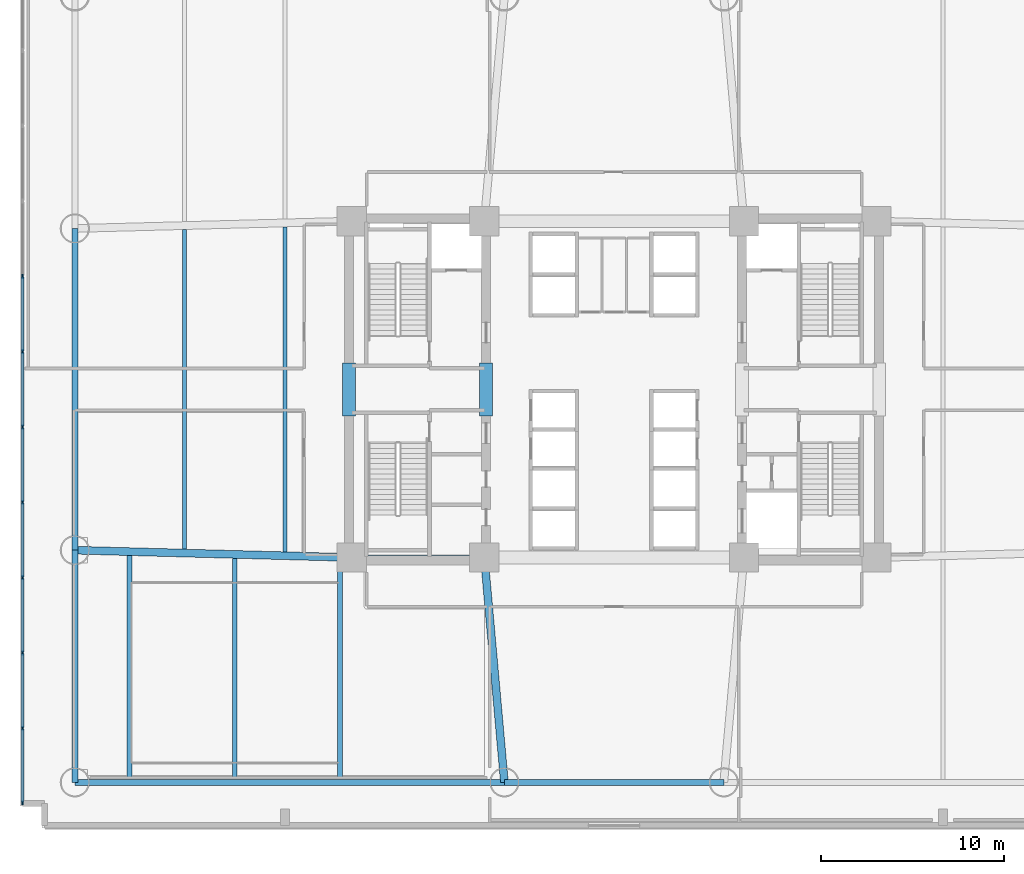
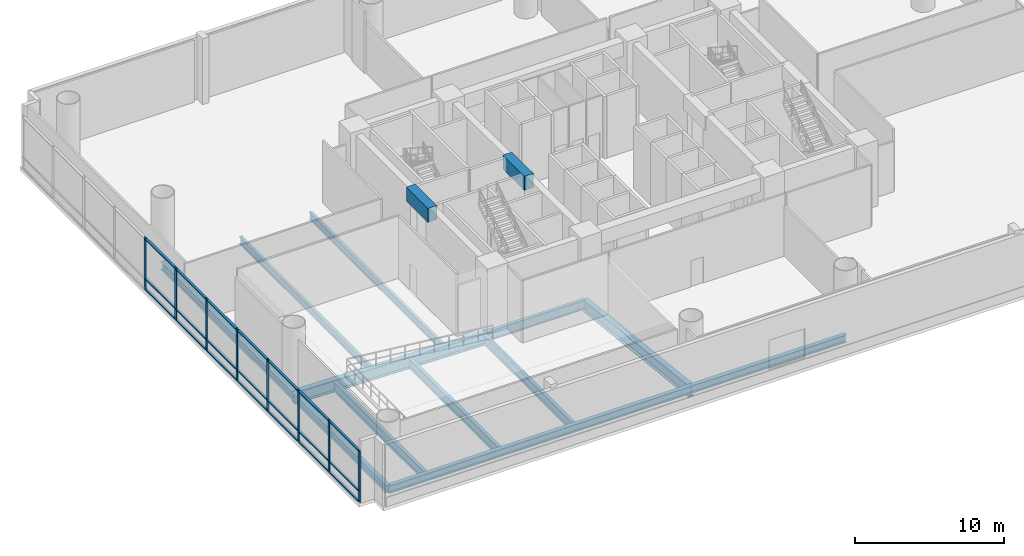
# One storey, part 2 of 15: 29 members, 14 beams, 1 element without a shape of its own.
"""IFC4 building model written with IfcOpenShell, lengths in metres."""

from ifc_helpers import new_model, si_unit, direction, frame, origin, origin_2d, place, context, subcontext, project, spatial, rectangle, i_section, extrude, source, transform, mapped, material, layer, layer_set, material_profile, profile_set, type_object, element, aggregate, save


model = new_model("IFC4")

# Units and contexts
model_context = context("Model", 3, precision=1e-05, world=origin(), true_north=direction((0.0, 1.0)))
body_context = subcontext(model_context, "Body", "Model", "MODEL_VIEW")
ifc_project = project(units=[si_unit("LENGTHUNIT", "METRE"), si_unit("AREAUNIT", "SQUARE_METRE"), si_unit("VOLUMEUNIT", "CUBIC_METRE"), si_unit("PLANEANGLEUNIT", "RADIAN"), si_unit("MASSUNIT", "GRAM", prefix="KILO")], contexts=[model_context])

# Site, building, storey
site_placement = place(None, origin())
site = spatial("IfcSite", under=ifc_project, at=site_placement, CompositionType="ELEMENT")
building_placement = place(site_placement, origin())
building = spatial("IfcBuilding", under=site, at=building_placement, Name="Zahravan Cultural Tower", CompositionType="ELEMENT")
storey_placement = place(building_placement, frame((0.0, 0.0, 12.60009765625)))
storey = spatial("IfcBuildingStorey", under=building, at=storey_placement, Name="L02", CompositionType="ELEMENT", Elevation=12.60009765625)

# Beams
ifc_material_1 = material(Name="Concrete C50/60", Category="concrete")
ifc_material_profile_1 = material_profile(ifc_material_1, rectangle(XDim=0.699951171875, YDim=1.14990234375, at=origin_2d()), Name="RC700X1150")
ifc_profile_set_1 = profile_set([ifc_material_profile_1], Name="Concrete C50/60")
beam_type_1 = type_object("IfcBeamType", Name="BM-LN-RC700X1150", PredefinedType="LINTEL", material=ifc_profile_set_1)
shared_shape_1 = source(origin(), body_context, "Body", "SweptSolid", [
    extrude(rectangle(XDim=0.699951171875, YDim=1.14990234375, at=origin_2d()), origin(), (0.0, 0.0, 1.0), 2.89990234375),
])
for number, where, z_axis, x_axis, name in (
    (1, (21.5, 25.550048828125, 4.52490234375), (0.0, 1.0, 0.0), (-1.0, 0.0, 0.0), "L02 Beam LN-L02-PWW"),
    (2, (29.0, 25.550048828125, 4.52490234375), (0.0, 1.0, 0.0), (-1.0, 0.0, 0.0), "L02 Beam LN-L02-PWE"),
):
    element("IfcBeam", number, at=place(storey_placement, frame(where, z_axis=z_axis, x_axis=x_axis)), inside=storey, type_object=beam_type_1, Name=name, PredefinedType="LINTEL", context=body_context, shape_type="MappedRepresentation", body=[
        mapped(shared_shape_1, transform((0.0, 0.0, 0.0), x_axis=(1.0, 0.0, 0.0), y_axis=(0.0, 1.0, 0.0), z_axis=(0.0, 0.0, 1.0), scale=1.0)),
    ])
ifc_material_2 = material(Name="Steel ASTM A992 Grade 50", Category="steel")
ifc_material_profile_2 = material_profile(ifc_material_2, i_section(OverallWidth=0.26611328125, OverallDepth=0.780029296875, WebThickness=0.0166015625, FlangeThickness=0.030029296875, FilletRadius=0.01904296875, at=origin_2d()), Name="W30X148")
ifc_profile_set_2 = profile_set([ifc_material_profile_2], Name="Steel ASTM A992 Grade 50")
beam_type_2 = type_object("IfcBeamType", Name="BM-G-W30X148", PredefinedType="BEAM", material=ifc_profile_set_2)
shared_shape_2 = source(origin(), body_context, "Body", "SweptSolid", [
    extrude(i_section(OverallWidth=0.26611328125, OverallDepth=0.780029296875, WebThickness=0.0166015625, FlangeThickness=0.030029296875, FilletRadius=0.01904296875, at=origin_2d()), origin(), (0.0, 0.0, 1.0), 7.25),
])
beam_1_placement = place(storey_placement, frame((21.64990234375, 17.800048828125, -0.690185546875), z_axis=(1.0, 0.0, 0.0), x_axis=(0.0, 1.0, 0.0)))
element("IfcBeam", 3, at=beam_1_placement, inside=storey, type_object=beam_type_2, Name="L02 Beam BG-L02-01", PredefinedType="BEAM", context=body_context, shape_type="MappedRepresentation", body=[
    mapped(shared_shape_2, transform((0.0, 0.0, 0.0), x_axis=(1.0, 0.0, 0.0), y_axis=(0.0, 1.0, 0.0), z_axis=(0.0, 0.0, 1.0), scale=1.0)),
])
ifc_material_profile_3 = material_profile(ifc_material_2, i_section(OverallWidth=0.326904296875, OverallDepth=0.6220703125, WebThickness=0.015380859375, FlangeThickness=0.0244140625, FilletRadius=0.014892578125, at=origin_2d()), Name="W24X131")
ifc_profile_set_3 = profile_set([ifc_material_profile_3], Name="Steel ASTM A992 Grade 50")
beam_type_3 = type_object("IfcBeamType", Name="BM-SP-W24X131", PredefinedType="SPANDREL", material=ifc_profile_set_3)
shared_shape_3 = source(origin(), body_context, "Body", "SweptSolid", [
    extrude(i_section(OverallWidth=0.326904296875, OverallDepth=0.6220703125, WebThickness=0.015380859375, FlangeThickness=0.0244140625, FilletRadius=0.014892578125, at=origin_2d()), origin(), (0.0, 0.0, 1.0), 23.5),
])
beam_2_placement = place(storey_placement, frame((6.5, 5.5, -0.611083984375), z_axis=(1.0, 0.0, 0.0), x_axis=(0.0, 1.0, 0.0)))
element("IfcBeam", 4, at=beam_2_placement, inside=storey, type_object=beam_type_3, Name="L02 Beam BG-L02-07", PredefinedType="SPANDREL", context=body_context, shape_type="MappedRepresentation", body=[
    mapped(shared_shape_3, transform((0.0, 0.0, 0.0), x_axis=(1.0, 0.0, 0.0), y_axis=(0.0, 1.0, 0.0), z_axis=(0.0, 0.0, 1.0), scale=1.0)),
])
shared_shape_4 = source(origin(), body_context, "Body", "SweptSolid", [
    extrude(i_section(OverallWidth=0.326904296875, OverallDepth=0.6220703125, WebThickness=0.015380859375, FlangeThickness=0.0244140625, FilletRadius=0.014892578125, at=origin_2d()), origin(), (0.0, 0.0, 1.0), 12.0),
])
beam_3_placement = place(storey_placement, frame((30.0, 5.5, -0.611083984375), z_axis=(1.0, 0.0, 0.0), x_axis=(0.0, 1.0, 0.0)))
element("IfcBeam", 5, at=beam_3_placement, inside=storey, type_object=beam_type_3, Name="L02 Beam BG-L02-08", PredefinedType="SPANDREL", context=body_context, shape_type="MappedRepresentation", body=[
    mapped(shared_shape_4, transform((0.0, 0.0, 0.0), x_axis=(1.0, 0.0, 0.0), y_axis=(0.0, 1.0, 0.0), z_axis=(0.0, 0.0, 1.0), scale=1.0)),
])
shared_shape_5 = source(origin(), body_context, "Body", "SweptSolid", [
    extrude(i_section(OverallWidth=0.326904296875, OverallDepth=0.6220703125, WebThickness=0.015380859375, FlangeThickness=0.0244140625, FilletRadius=0.014892578125, at=origin_2d()), origin(), (0.0, 0.0, 1.0), 12.699951171875),
])
beam_4_placement = place(storey_placement, frame((6.5, 5.5, -0.611083984375), z_axis=(0.0, 1.0, 0.0), x_axis=(-1.0, 0.0, 0.0)))
element("IfcBeam", 6, at=beam_4_placement, inside=storey, type_object=beam_type_3, Name="L02 Beam BG-L02-13", PredefinedType="SPANDREL", context=body_context, shape_type="MappedRepresentation", body=[
    mapped(shared_shape_5, transform((0.0, 0.0, 0.0), x_axis=(1.0, 0.0, 0.0), y_axis=(0.0, 1.0, 0.0), z_axis=(0.0, 0.0, 1.0), scale=1.0)),
])
shared_shape_6 = source(origin(), body_context, "Body", "SweptSolid", [
    extrude(i_section(OverallWidth=0.326904296875, OverallDepth=0.6220703125, WebThickness=0.015380859375, FlangeThickness=0.0244140625, FilletRadius=0.014892578125, at=origin_2d()), origin(), (0.0, 0.0, 1.0), 17.60009765625),
])
beam_5_placement = place(storey_placement, frame((6.5, 18.199951171875, -0.611083984375), z_axis=(0.0, 1.0, 0.0), x_axis=(-1.0, 0.0, 0.0)))
element("IfcBeam", 7, at=beam_5_placement, inside=storey, type_object=beam_type_3, Name="L02 Beam BG-L02-14", PredefinedType="SPANDREL", context=body_context, shape_type="MappedRepresentation", body=[
    mapped(shared_shape_6, transform((0.0, 0.0, 0.0), x_axis=(1.0, 0.0, 0.0), y_axis=(0.0, 1.0, 0.0), z_axis=(0.0, 0.0, 1.0), scale=1.0)),
])
ifc_material_profile_4 = material_profile(ifc_material_2, i_section(OverallWidth=0.425048828125, OverallDepth=0.965087890625, WebThickness=0.0283203125, FlangeThickness=0.051025390625, FilletRadius=0.02392578125, at=origin_2d()), Name="W36X361")
ifc_profile_set_4 = profile_set([ifc_material_profile_4], Name="Steel ASTM A992 Grade 50")
beam_type_4 = type_object("IfcBeamType", Name="BM-G-W36X361", PredefinedType="BEAM", material=ifc_profile_set_4)
shared_shape_7 = source(origin(), body_context, "Body", "SweptSolid", [
    extrude(i_section(OverallWidth=0.425048828125, OverallDepth=0.965087890625, WebThickness=0.0283203125, FlangeThickness=0.051025390625, FilletRadius=0.02392578125, at=origin_2d()), origin(), (0.0, 0.0, 1.0), 15.1552734375),
])
beam_6_placement = place(storey_placement, frame((6.5, 18.199951171875, -0.78271484375), z_axis=(0.999651797923, -0.026387173188, 0.0), x_axis=(0.026387173188, 0.999651797923, 0.0)))
element("IfcBeam", 8, at=beam_6_placement, inside=storey, type_object=beam_type_4, Name="L02 Beam BG-L02-19", PredefinedType="BEAM", context=body_context, shape_type="MappedRepresentation", body=[
    mapped(shared_shape_7, transform((0.0, 0.0, 0.0), x_axis=(1.0, 0.0, 0.0), y_axis=(0.0, 1.0, 0.0), z_axis=(0.0, 0.0, 1.0), scale=1.0)),
])
shared_shape_8 = source(origin(), body_context, "Body", "SweptSolid", [
    extrude(i_section(OverallWidth=0.425048828125, OverallDepth=0.965087890625, WebThickness=0.0283203125, FlangeThickness=0.051025390625, FilletRadius=0.02392578125, at=origin_2d()), origin(), (0.0, 0.0, 1.0), 12.34912109375),
])
beam_7_placement = place(storey_placement, frame((30.0, 5.5, -0.78271484375), z_axis=(-0.089082890706, 0.996024215862, 0.0), x_axis=(-0.996024215862, -0.089082890706, 0.0)))
element("IfcBeam", 9, at=beam_7_placement, inside=storey, type_object=beam_type_4, Name="L02 Beam BG-L02-23", PredefinedType="BEAM", context=body_context, shape_type="MappedRepresentation", body=[
    mapped(shared_shape_8, transform((0.0, 0.0, 0.0), x_axis=(1.0, 0.0, 0.0), y_axis=(0.0, 1.0, 0.0), z_axis=(0.0, 0.0, 1.0), scale=1.0)),
])
ifc_material_profile_5 = material_profile(ifc_material_2, i_section(OverallWidth=0.22998046875, OverallDepth=0.616943359375, WebThickness=0.01318359375, FlangeThickness=0.022216796875, FilletRadius=0.014892578125, at=origin_2d()), Name="W24X94")
ifc_profile_set_5 = profile_set([ifc_material_profile_5], Name="Steel ASTM A992 Grade 50")
beam_type_5 = type_object("IfcBeamType", Name="BM-J-W24X94", PredefinedType="JOIST", material=ifc_profile_set_5)
shared_shape_9 = source(origin(), body_context, "Body", "SweptSolid", [
    extrude(i_section(OverallWidth=0.22998046875, OverallDepth=0.616943359375, WebThickness=0.01318359375, FlangeThickness=0.022216796875, FilletRadius=0.014892578125, at=origin_2d()), origin(), (0.0, 0.0, 1.0), 17.49072265625),
])
beam_8_placement = place(storey_placement, frame((12.5, 18.254638671875, -0.608642578125), z_axis=(0.0, 1.0, 0.0), x_axis=(-1.0, 0.0, 0.0)))
element("IfcBeam", 10, at=beam_8_placement, inside=storey, type_object=beam_type_5, Name="L02 Beam BJ-L02-30", PredefinedType="JOIST", context=body_context, shape_type="MappedRepresentation", body=[
    mapped(shared_shape_9, transform((0.0, 0.0, 0.0), x_axis=(1.0, 0.0, 0.0), y_axis=(0.0, 1.0, 0.0), z_axis=(0.0, 0.0, 1.0), scale=1.0)),
])
shared_shape_10 = source(origin(), body_context, "Body", "SweptSolid", [
    extrude(i_section(OverallWidth=0.22998046875, OverallDepth=0.616943359375, WebThickness=0.01318359375, FlangeThickness=0.022216796875, FilletRadius=0.014892578125, at=origin_2d()), origin(), (0.0, 0.0, 1.0), 17.78125),
])
beam_9_placement = place(storey_placement, frame((18.0, 18.109375, -0.608642578125), z_axis=(0.0, 1.0, 0.0), x_axis=(-1.0, 0.0, 0.0)))
element("IfcBeam", 11, at=beam_9_placement, inside=storey, type_object=beam_type_5, Name="L02 Beam BJ-L02-32", PredefinedType="JOIST", context=body_context, shape_type="MappedRepresentation", body=[
    mapped(shared_shape_10, transform((0.0, 0.0, 0.0), x_axis=(1.0, 0.0, 0.0), y_axis=(0.0, 1.0, 0.0), z_axis=(0.0, 0.0, 1.0), scale=1.0)),
])
shared_shape_11 = source(origin(), body_context, "Body", "SweptSolid", [
    extrude(i_section(OverallWidth=0.26611328125, OverallDepth=0.780029296875, WebThickness=0.0166015625, FlangeThickness=0.030029296875, FilletRadius=0.01904296875, at=origin_2d()), origin(), (0.0, 0.0, 1.0), 11.92724609375),
])
beam_10_placement = place(storey_placement, frame((21.0, 5.669921875, -0.712158203125), z_axis=(0.0, 1.0, 0.0), x_axis=(-1.0, 0.0, 0.0)))
element("IfcBeam", 12, at=beam_10_placement, inside=storey, type_object=beam_type_2, Name="L02 Beam BG-L02-27", PredefinedType="BEAM", context=body_context, shape_type="MappedRepresentation", body=[
    mapped(shared_shape_11, transform((0.0, 0.0, 0.0), x_axis=(1.0, 0.0, 0.0), y_axis=(0.0, 1.0, 0.0), z_axis=(0.0, 0.0, 1.0), scale=1.0)),
])
shared_shape_12 = source(origin(), body_context, "Body", "SweptSolid", [
    extrude(i_section(OverallWidth=0.26611328125, OverallDepth=0.780029296875, WebThickness=0.0166015625, FlangeThickness=0.030029296875, FilletRadius=0.01904296875, at=origin_2d()), origin(), (0.0, 0.0, 1.0), 12.0791015625),
])
beam_11_placement = place(storey_placement, frame((15.25, 5.669921875, -0.712158203125), z_axis=(0.0, 1.0, 0.0), x_axis=(-1.0, 0.0, 0.0)))
element("IfcBeam", 13, at=beam_11_placement, inside=storey, type_object=beam_type_2, Name="L02 Beam BG-L02-28", PredefinedType="BEAM", context=body_context, shape_type="MappedRepresentation", body=[
    mapped(shared_shape_12, transform((0.0, 0.0, 0.0), x_axis=(1.0, 0.0, 0.0), y_axis=(0.0, 1.0, 0.0), z_axis=(0.0, 0.0, 1.0), scale=1.0)),
])
shared_shape_13 = source(origin(), body_context, "Body", "SweptSolid", [
    extrude(i_section(OverallWidth=0.26611328125, OverallDepth=0.780029296875, WebThickness=0.0166015625, FlangeThickness=0.030029296875, FilletRadius=0.01904296875, at=origin_2d()), origin(), (0.0, 0.0, 1.0), 12.23095703125),
])
beam_12_placement = place(storey_placement, frame((9.5, 5.669921875, -0.712158203125), z_axis=(0.0, 1.0, 0.0), x_axis=(-1.0, 0.0, 0.0)))
element("IfcBeam", 14, at=beam_12_placement, inside=storey, type_object=beam_type_2, Name="L02 Beam BG-L02-29", PredefinedType="BEAM", context=body_context, shape_type="MappedRepresentation", body=[
    mapped(shared_shape_13, transform((0.0, 0.0, 0.0), x_axis=(1.0, 0.0, 0.0), y_axis=(0.0, 1.0, 0.0), z_axis=(0.0, 0.0, 1.0), scale=1.0)),
])

# Curtain wall, members
ifc_material_3 = material(Name="Anodised bronze-aluminium mullion", Category="aluminium")
ifc_layer = layer(ifc_material_3, 0.239990234375)
ifc_layer_set = layer_set([ifc_layer], Name="Anodised bronze-aluminium mullion")
curtain_wall_type = type_object("IfcCurtainWallType", Name="CW-SYS-5", PredefinedType="USERDEFINED", material=ifc_layer_set)
curtain_wall_placement = place(storey_placement, origin())
curtain_wall = element("IfcCurtainWall", 15, at=curtain_wall_placement, inside=storey, type_object=curtain_wall_type, Name="L02 Recessed Curtain Wall CW-5.2", ObjectType="RECESSED GLAZING", PredefinedType="USERDEFINED")
ifc_material_profile_6 = material_profile(ifc_material_3, rectangle(XDim=0.0849609375, YDim=0.239990234375, at=origin_2d()), Name="AL-M85X240")
ifc_profile_set_6 = profile_set([ifc_material_profile_6], Name="Anodised bronze-aluminium mullion")
member_type_1 = type_object("IfcMemberType", Name="CWM-CW-5", PredefinedType="MULLION", material=ifc_profile_set_6)
shared_shape_14 = source(origin(), body_context, "Body", "SweptSolid", [
    extrude(rectangle(XDim=0.0849609375, YDim=0.239990234375, at=origin_2d()), origin(), (0.0, 0.0, 1.0), 4.219970703125),
])
member_1_placement = place(storey_placement, frame((3.639892578125, 4.382568359375, 0.0), z_axis=(0.0, 0.0, 1.0), x_axis=(-1.0, 0.0, 0.0)))
member_1 = element("IfcMember", 16, at=member_1_placement, type_object=member_type_1, Name="CW-5 mullion 1", PredefinedType="MULLION", context=body_context, shape_type="MappedRepresentation", body=[
    mapped(shared_shape_14, transform((0.0, 0.0, 0.0), x_axis=(1.0, 0.0, 0.0), y_axis=(0.0, 1.0, 0.0), z_axis=(0.0, 0.0, 1.0), scale=1.0)),
])
member_2_placement = place(storey_placement, frame((3.639892578125, 8.4599609375, 0.0), z_axis=(0.0, 0.0, 1.0), x_axis=(-1.0, 0.0, 0.0)))
member_2 = element("IfcMember", 17, at=member_2_placement, type_object=member_type_1, Name="CW-5 mullion 2", PredefinedType="MULLION", context=body_context, shape_type="MappedRepresentation", body=[
    mapped(shared_shape_14, transform((0.0, 0.0, 0.0), x_axis=(1.0, 0.0, 0.0), y_axis=(0.0, 1.0, 0.0), z_axis=(0.0, 0.0, 1.0), scale=1.0)),
])
member_3_placement = place(storey_placement, frame((3.639892578125, 12.580078125, 0.0), z_axis=(0.0, 0.0, 1.0), x_axis=(-1.0, 0.0, 0.0)))
member_3 = element("IfcMember", 18, at=member_3_placement, type_object=member_type_1, Name="CW-5 mullion 3", PredefinedType="MULLION", context=body_context, shape_type="MappedRepresentation", body=[
    mapped(shared_shape_14, transform((0.0, 0.0, 0.0), x_axis=(1.0, 0.0, 0.0), y_axis=(0.0, 1.0, 0.0), z_axis=(0.0, 0.0, 1.0), scale=1.0)),
])
member_4_placement = place(storey_placement, frame((3.639892578125, 16.699951171875, 0.0), z_axis=(0.0, 0.0, 1.0), x_axis=(-1.0, 0.0, 0.0)))
member_4 = element("IfcMember", 19, at=member_4_placement, type_object=member_type_1, Name="CW-5 mullion 4", PredefinedType="MULLION", context=body_context, shape_type="MappedRepresentation", body=[
    mapped(shared_shape_14, transform((0.0, 0.0, 0.0), x_axis=(1.0, 0.0, 0.0), y_axis=(0.0, 1.0, 0.0), z_axis=(0.0, 0.0, 1.0), scale=1.0)),
])
member_5_placement = place(storey_placement, frame((3.639892578125, 20.820068359375, 0.0), z_axis=(0.0, 0.0, 1.0), x_axis=(-1.0, 0.0, 0.0)))
member_5 = element("IfcMember", 20, at=member_5_placement, type_object=member_type_1, Name="CW-5 mullion 5", PredefinedType="MULLION", context=body_context, shape_type="MappedRepresentation", body=[
    mapped(shared_shape_14, transform((0.0, 0.0, 0.0), x_axis=(1.0, 0.0, 0.0), y_axis=(0.0, 1.0, 0.0), z_axis=(0.0, 0.0, 1.0), scale=1.0)),
])
member_6_placement = place(storey_placement, frame((3.639892578125, 24.93994140625, 0.0), z_axis=(0.0, 0.0, 1.0), x_axis=(-1.0, 0.0, 0.0)))
member_6 = element("IfcMember", 21, at=member_6_placement, type_object=member_type_1, Name="CW-5 mullion 6", PredefinedType="MULLION", context=body_context, shape_type="MappedRepresentation", body=[
    mapped(shared_shape_14, transform((0.0, 0.0, 0.0), x_axis=(1.0, 0.0, 0.0), y_axis=(0.0, 1.0, 0.0), z_axis=(0.0, 0.0, 1.0), scale=1.0)),
])
member_7_placement = place(storey_placement, frame((3.639892578125, 29.06005859375, 0.0), z_axis=(0.0, 0.0, 1.0), x_axis=(-1.0, 0.0, 0.0)))
member_7 = element("IfcMember", 22, at=member_7_placement, type_object=member_type_1, Name="CW-5 mullion 7", PredefinedType="MULLION", context=body_context, shape_type="MappedRepresentation", body=[
    mapped(shared_shape_14, transform((0.0, 0.0, 0.0), x_axis=(1.0, 0.0, 0.0), y_axis=(0.0, 1.0, 0.0), z_axis=(0.0, 0.0, 1.0), scale=1.0)),
])
member_8_placement = place(storey_placement, frame((3.639892578125, 33.179931640625, 0.0), z_axis=(0.0, 0.0, 1.0), x_axis=(-1.0, 0.0, 0.0)))
member_8 = element("IfcMember", 23, at=member_8_placement, type_object=member_type_1, Name="CW-5 mullion 8", PredefinedType="MULLION", context=body_context, shape_type="MappedRepresentation", body=[
    mapped(shared_shape_14, transform((0.0, 0.0, 0.0), x_axis=(1.0, 0.0, 0.0), y_axis=(0.0, 1.0, 0.0), z_axis=(0.0, 0.0, 1.0), scale=1.0)),
])
ifc_material_profile_7 = material_profile(ifc_material_3, rectangle(XDim=0.179931640625, YDim=0.0849609375, at=origin_2d()), Name="AL-T85X180")
ifc_profile_set_7 = profile_set([ifc_material_profile_7], Name="Anodised bronze-aluminium mullion")
member_type_2 = type_object("IfcMemberType", Name="CWT-CW-5", PredefinedType="USERDEFINED", material=ifc_profile_set_7)
shared_shape_15 = source(origin(), body_context, "Body", "SweptSolid", [
    extrude(rectangle(XDim=0.179931640625, YDim=0.0849609375, at=origin_2d()), origin(), (0.0, 0.0, 1.0), 3.992431640625),
])
member_9_placement = place(storey_placement, frame((3.639892578125, 4.425048828125, 0.04248046875), z_axis=(0.0, 1.0, 0.0), x_axis=(-1.0, 0.0, 0.0)))
member_9 = element("IfcMember", 24, at=member_9_placement, type_object=member_type_2, Name="CW-5 transom 1.1", ObjectType="TRANSOM", PredefinedType="USERDEFINED", context=body_context, shape_type="MappedRepresentation", body=[
    mapped(shared_shape_15, transform((0.0, 0.0, 0.0), x_axis=(1.0, 0.0, 0.0), y_axis=(0.0, 1.0, 0.0), z_axis=(0.0, 0.0, 1.0), scale=1.0)),
])
member_10_placement = place(storey_placement, frame((3.639892578125, 4.425048828125, 0.89990234375), z_axis=(0.0, 1.0, 0.0), x_axis=(-1.0, 0.0, 0.0)))
member_10 = element("IfcMember", 25, at=member_10_placement, type_object=member_type_2, Name="CW-5 transom 1.2", ObjectType="TRANSOM", PredefinedType="USERDEFINED", context=body_context, shape_type="MappedRepresentation", body=[
    mapped(shared_shape_15, transform((0.0, 0.0, 0.0), x_axis=(1.0, 0.0, 0.0), y_axis=(0.0, 1.0, 0.0), z_axis=(0.0, 0.0, 1.0), scale=1.0)),
])
member_11_placement = place(storey_placement, frame((3.639892578125, 4.425048828125, 4.177490234375), z_axis=(0.0, 1.0, 0.0), x_axis=(-1.0, 0.0, 0.0)))
member_11 = element("IfcMember", 26, at=member_11_placement, type_object=member_type_2, Name="CW-5 transom 1.3", ObjectType="TRANSOM", PredefinedType="USERDEFINED", context=body_context, shape_type="MappedRepresentation", body=[
    mapped(shared_shape_15, transform((0.0, 0.0, 0.0), x_axis=(1.0, 0.0, 0.0), y_axis=(0.0, 1.0, 0.0), z_axis=(0.0, 0.0, 1.0), scale=1.0)),
])
shared_shape_16 = source(origin(), body_context, "Body", "SweptSolid", [
    extrude(rectangle(XDim=0.179931640625, YDim=0.0849609375, at=origin_2d()), origin(), (0.0, 0.0, 1.0), 4.03515625),
])
member_12_placement = place(storey_placement, frame((3.639892578125, 8.50244140625, 0.04248046875), z_axis=(0.0, 1.0, 0.0), x_axis=(-1.0, 0.0, 0.0)))
member_12 = element("IfcMember", 27, at=member_12_placement, type_object=member_type_2, Name="CW-5 transom 2.1", ObjectType="TRANSOM", PredefinedType="USERDEFINED", context=body_context, shape_type="MappedRepresentation", body=[
    mapped(shared_shape_16, transform((0.0, 0.0, 0.0), x_axis=(1.0, 0.0, 0.0), y_axis=(0.0, 1.0, 0.0), z_axis=(0.0, 0.0, 1.0), scale=1.0)),
])
member_13_placement = place(storey_placement, frame((3.639892578125, 8.50244140625, 0.89990234375), z_axis=(0.0, 1.0, 0.0), x_axis=(-1.0, 0.0, 0.0)))
member_13 = element("IfcMember", 28, at=member_13_placement, type_object=member_type_2, Name="CW-5 transom 2.2", ObjectType="TRANSOM", PredefinedType="USERDEFINED", context=body_context, shape_type="MappedRepresentation", body=[
    mapped(shared_shape_16, transform((0.0, 0.0, 0.0), x_axis=(1.0, 0.0, 0.0), y_axis=(0.0, 1.0, 0.0), z_axis=(0.0, 0.0, 1.0), scale=1.0)),
])
member_14_placement = place(storey_placement, frame((3.639892578125, 8.50244140625, 4.177490234375), z_axis=(0.0, 1.0, 0.0), x_axis=(-1.0, 0.0, 0.0)))
member_14 = element("IfcMember", 29, at=member_14_placement, type_object=member_type_2, Name="CW-5 transom 2.3", ObjectType="TRANSOM", PredefinedType="USERDEFINED", context=body_context, shape_type="MappedRepresentation", body=[
    mapped(shared_shape_16, transform((0.0, 0.0, 0.0), x_axis=(1.0, 0.0, 0.0), y_axis=(0.0, 1.0, 0.0), z_axis=(0.0, 0.0, 1.0), scale=1.0)),
])
member_15_placement = place(storey_placement, frame((3.639892578125, 16.742431640625, 0.04248046875), z_axis=(0.0, 1.0, 0.0), x_axis=(-1.0, 0.0, 0.0)))
member_15 = element("IfcMember", 30, at=member_15_placement, type_object=member_type_2, Name="CW-5 transom 4.1", ObjectType="TRANSOM", PredefinedType="USERDEFINED", context=body_context, shape_type="MappedRepresentation", body=[
    mapped(shared_shape_16, transform((0.0, 0.0, 0.0), x_axis=(1.0, 0.0, 0.0), y_axis=(0.0, 1.0, 0.0), z_axis=(0.0, 0.0, 1.0), scale=1.0)),
])
member_16_placement = place(storey_placement, frame((3.639892578125, 16.742431640625, 0.89990234375), z_axis=(0.0, 1.0, 0.0), x_axis=(-1.0, 0.0, 0.0)))
member_16 = element("IfcMember", 31, at=member_16_placement, type_object=member_type_2, Name="CW-5 transom 4.2", ObjectType="TRANSOM", PredefinedType="USERDEFINED", context=body_context, shape_type="MappedRepresentation", body=[
    mapped(shared_shape_16, transform((0.0, 0.0, 0.0), x_axis=(1.0, 0.0, 0.0), y_axis=(0.0, 1.0, 0.0), z_axis=(0.0, 0.0, 1.0), scale=1.0)),
])
member_17_placement = place(storey_placement, frame((3.639892578125, 16.742431640625, 4.177490234375), z_axis=(0.0, 1.0, 0.0), x_axis=(-1.0, 0.0, 0.0)))
member_17 = element("IfcMember", 32, at=member_17_placement, type_object=member_type_2, Name="CW-5 transom 4.3", ObjectType="TRANSOM", PredefinedType="USERDEFINED", context=body_context, shape_type="MappedRepresentation", body=[
    mapped(shared_shape_16, transform((0.0, 0.0, 0.0), x_axis=(1.0, 0.0, 0.0), y_axis=(0.0, 1.0, 0.0), z_axis=(0.0, 0.0, 1.0), scale=1.0)),
])
member_18_placement = place(storey_placement, frame((3.639892578125, 24.982421875, 0.04248046875), z_axis=(0.0, 1.0, 0.0), x_axis=(-1.0, 0.0, 0.0)))
member_18 = element("IfcMember", 33, at=member_18_placement, type_object=member_type_2, Name="CW-5 transom 6.1", ObjectType="TRANSOM", PredefinedType="USERDEFINED", context=body_context, shape_type="MappedRepresentation", body=[
    mapped(shared_shape_16, transform((0.0, 0.0, 0.0), x_axis=(1.0, 0.0, 0.0), y_axis=(0.0, 1.0, 0.0), z_axis=(0.0, 0.0, 1.0), scale=1.0)),
])
member_19_placement = place(storey_placement, frame((3.639892578125, 24.982421875, 0.89990234375), z_axis=(0.0, 1.0, 0.0), x_axis=(-1.0, 0.0, 0.0)))
member_19 = element("IfcMember", 34, at=member_19_placement, type_object=member_type_2, Name="CW-5 transom 6.2", ObjectType="TRANSOM", PredefinedType="USERDEFINED", context=body_context, shape_type="MappedRepresentation", body=[
    mapped(shared_shape_16, transform((0.0, 0.0, 0.0), x_axis=(1.0, 0.0, 0.0), y_axis=(0.0, 1.0, 0.0), z_axis=(0.0, 0.0, 1.0), scale=1.0)),
])
member_20_placement = place(storey_placement, frame((3.639892578125, 24.982421875, 4.177490234375), z_axis=(0.0, 1.0, 0.0), x_axis=(-1.0, 0.0, 0.0)))
member_20 = element("IfcMember", 35, at=member_20_placement, type_object=member_type_2, Name="CW-5 transom 6.3", ObjectType="TRANSOM", PredefinedType="USERDEFINED", context=body_context, shape_type="MappedRepresentation", body=[
    mapped(shared_shape_16, transform((0.0, 0.0, 0.0), x_axis=(1.0, 0.0, 0.0), y_axis=(0.0, 1.0, 0.0), z_axis=(0.0, 0.0, 1.0), scale=1.0)),
])
shared_shape_17 = source(origin(), body_context, "Body", "SweptSolid", [
    extrude(rectangle(XDim=0.179931640625, YDim=0.0849609375, at=origin_2d()), origin(), (0.0, 0.0, 1.0), 4.034912109375),
])
member_21_placement = place(storey_placement, frame((3.639892578125, 12.62255859375, 0.04248046875), z_axis=(0.0, 1.0, 0.0), x_axis=(-1.0, 0.0, 0.0)))
member_21 = element("IfcMember", 36, at=member_21_placement, type_object=member_type_2, Name="CW-5 transom 3.1", ObjectType="TRANSOM", PredefinedType="USERDEFINED", context=body_context, shape_type="MappedRepresentation", body=[
    mapped(shared_shape_17, transform((0.0, 0.0, 0.0), x_axis=(1.0, 0.0, 0.0), y_axis=(0.0, 1.0, 0.0), z_axis=(0.0, 0.0, 1.0), scale=1.0)),
])
member_22_placement = place(storey_placement, frame((3.639892578125, 12.62255859375, 0.89990234375), z_axis=(0.0, 1.0, 0.0), x_axis=(-1.0, 0.0, 0.0)))
member_22 = element("IfcMember", 37, at=member_22_placement, type_object=member_type_2, Name="CW-5 transom 3.2", ObjectType="TRANSOM", PredefinedType="USERDEFINED", context=body_context, shape_type="MappedRepresentation", body=[
    mapped(shared_shape_17, transform((0.0, 0.0, 0.0), x_axis=(1.0, 0.0, 0.0), y_axis=(0.0, 1.0, 0.0), z_axis=(0.0, 0.0, 1.0), scale=1.0)),
])
member_23_placement = place(storey_placement, frame((3.639892578125, 12.62255859375, 4.177490234375), z_axis=(0.0, 1.0, 0.0), x_axis=(-1.0, 0.0, 0.0)))
member_23 = element("IfcMember", 38, at=member_23_placement, type_object=member_type_2, Name="CW-5 transom 3.3", ObjectType="TRANSOM", PredefinedType="USERDEFINED", context=body_context, shape_type="MappedRepresentation", body=[
    mapped(shared_shape_17, transform((0.0, 0.0, 0.0), x_axis=(1.0, 0.0, 0.0), y_axis=(0.0, 1.0, 0.0), z_axis=(0.0, 0.0, 1.0), scale=1.0)),
])
member_24_placement = place(storey_placement, frame((3.639892578125, 20.862548828125, 0.04248046875), z_axis=(0.0, 1.0, 0.0), x_axis=(-1.0, 0.0, 0.0)))
member_24 = element("IfcMember", 39, at=member_24_placement, type_object=member_type_2, Name="CW-5 transom 5.1", ObjectType="TRANSOM", PredefinedType="USERDEFINED", context=body_context, shape_type="MappedRepresentation", body=[
    mapped(shared_shape_17, transform((0.0, 0.0, 0.0), x_axis=(1.0, 0.0, 0.0), y_axis=(0.0, 1.0, 0.0), z_axis=(0.0, 0.0, 1.0), scale=1.0)),
])
member_25_placement = place(storey_placement, frame((3.639892578125, 20.862548828125, 0.89990234375), z_axis=(0.0, 1.0, 0.0), x_axis=(-1.0, 0.0, 0.0)))
member_25 = element("IfcMember", 40, at=member_25_placement, type_object=member_type_2, Name="CW-5 transom 5.2", ObjectType="TRANSOM", PredefinedType="USERDEFINED", context=body_context, shape_type="MappedRepresentation", body=[
    mapped(shared_shape_17, transform((0.0, 0.0, 0.0), x_axis=(1.0, 0.0, 0.0), y_axis=(0.0, 1.0, 0.0), z_axis=(0.0, 0.0, 1.0), scale=1.0)),
])
member_26_placement = place(storey_placement, frame((3.639892578125, 20.862548828125, 4.177490234375), z_axis=(0.0, 1.0, 0.0), x_axis=(-1.0, 0.0, 0.0)))
member_26 = element("IfcMember", 41, at=member_26_placement, type_object=member_type_2, Name="CW-5 transom 5.3", ObjectType="TRANSOM", PredefinedType="USERDEFINED", context=body_context, shape_type="MappedRepresentation", body=[
    mapped(shared_shape_17, transform((0.0, 0.0, 0.0), x_axis=(1.0, 0.0, 0.0), y_axis=(0.0, 1.0, 0.0), z_axis=(0.0, 0.0, 1.0), scale=1.0)),
])
member_27_placement = place(storey_placement, frame((3.639892578125, 29.1025390625, 0.04248046875), z_axis=(0.0, 1.0, 0.0), x_axis=(-1.0, 0.0, 0.0)))
member_27 = element("IfcMember", 42, at=member_27_placement, type_object=member_type_2, Name="CW-5 transom 7.1", ObjectType="TRANSOM", PredefinedType="USERDEFINED", context=body_context, shape_type="MappedRepresentation", body=[
    mapped(shared_shape_17, transform((0.0, 0.0, 0.0), x_axis=(1.0, 0.0, 0.0), y_axis=(0.0, 1.0, 0.0), z_axis=(0.0, 0.0, 1.0), scale=1.0)),
])
member_28_placement = place(storey_placement, frame((3.639892578125, 29.1025390625, 0.89990234375), z_axis=(0.0, 1.0, 0.0), x_axis=(-1.0, 0.0, 0.0)))
member_28 = element("IfcMember", 43, at=member_28_placement, type_object=member_type_2, Name="CW-5 transom 7.2", ObjectType="TRANSOM", PredefinedType="USERDEFINED", context=body_context, shape_type="MappedRepresentation", body=[
    mapped(shared_shape_17, transform((0.0, 0.0, 0.0), x_axis=(1.0, 0.0, 0.0), y_axis=(0.0, 1.0, 0.0), z_axis=(0.0, 0.0, 1.0), scale=1.0)),
])
member_29_placement = place(storey_placement, frame((3.639892578125, 29.1025390625, 4.177490234375), z_axis=(0.0, 1.0, 0.0), x_axis=(-1.0, 0.0, 0.0)))
member_29 = element("IfcMember", 44, at=member_29_placement, type_object=member_type_2, Name="CW-5 transom 7.3", ObjectType="TRANSOM", PredefinedType="USERDEFINED", context=body_context, shape_type="MappedRepresentation", body=[
    mapped(shared_shape_17, transform((0.0, 0.0, 0.0), x_axis=(1.0, 0.0, 0.0), y_axis=(0.0, 1.0, 0.0), z_axis=(0.0, 0.0, 1.0), scale=1.0)),
])
aggregate(curtain_wall, [member_1, member_2, member_3, member_4, member_5, member_6, member_7, member_8, member_9, member_10, member_11, member_12, member_13, member_14, member_21, member_22, member_23, member_15, member_16, member_17, member_24, member_25, member_26, member_18, member_19, member_20, member_27, member_28, member_29])

save(model, "model.ifc")
